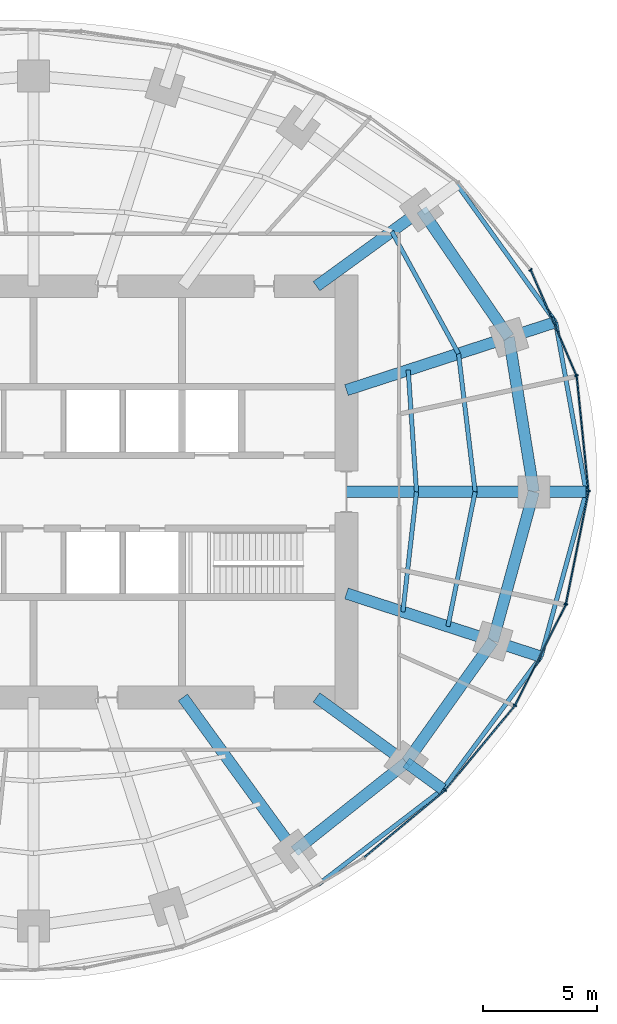
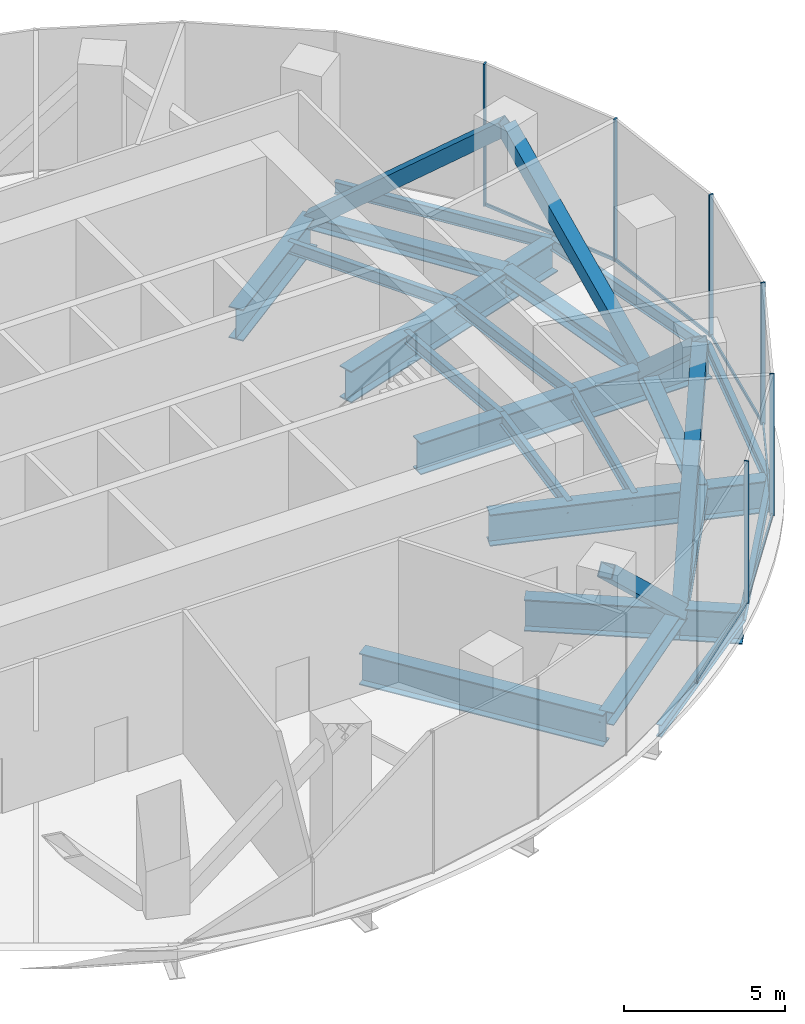
# One storey, part 6 of 13: 22 members, 20 beams, 2 elements without a shape of their own.
"""IFC4 building model written with IfcOpenShell, lengths in metres."""

from ifc_helpers import new_model, si_unit, direction, frame, origin, origin_2d, place, context, subcontext, project, spatial, rectangle, hollow_rectangle, i_section, extrude, material, material_profile, profile_set, type_object, element, aggregate, save


model = new_model("IFC4")

# Units and contexts
model_context = context("Model", 3, precision=1e-05, world=origin(), true_north=direction((0.0, 1.0)))
body_context = subcontext(model_context, "Body", "Model", "MODEL_VIEW")
ifc_project = project(units=[si_unit("LENGTHUNIT", "METRE"), si_unit("AREAUNIT", "SQUARE_METRE"), si_unit("VOLUMEUNIT", "CUBIC_METRE"), si_unit("PLANEANGLEUNIT", "RADIAN"), si_unit("MASSUNIT", "GRAM", prefix="KILO")], contexts=[model_context])

# Site, building, storey
site_placement = place(None, origin())
site = spatial("IfcSite", under=ifc_project, at=site_placement, CompositionType="ELEMENT")
building_placement = place(site_placement, origin())
building = spatial("IfcBuilding", under=site, at=building_placement, Name="Marramba Exchange Tower", CompositionType="ELEMENT")
storey_placement = place(building_placement, frame((0.0, 0.0, 246.199951171875)))
storey = spatial("IfcBuildingStorey", under=building, at=storey_placement, Name="L60", CompositionType="ELEMENT", Elevation=246.199951171875)

# Members
ifc_material_1 = material(Name="Steel AS/NZS 3679.2 grade 300", Category="steel")
ifc_material_profile_1 = material_profile(ifc_material_1, i_section(OverallWidth=0.5, OverallDepth=0.48388671875, WebThickness=0.02490234375, FlangeThickness=0.031982421875, at=origin_2d()), Name="500WC340")
ifc_profile_set_1 = profile_set([ifc_material_profile_1], Name="Steel AS/NZS 3679.2 grade 300")
member_type_1 = type_object("IfcMemberType", Name="Belt truss chord 500WC340", PredefinedType="CHORD", material=ifc_profile_set_1)
member_1_placement = place(storey_placement, frame((21.89990234375, 0.0, -0.44189453125), z_axis=(-0.159384865399, 0.987216523708, 0.0), x_axis=(-0.987216523708, -0.159384865399, 0.0)))
element("IfcMember", 1, at=member_1_placement, inside=storey, type_object=member_type_1, Name="Belt chord L60 TC01-TC02", PredefinedType="CHORD", context=body_context, shape_type="SweptSolid", body=[
    extrude(i_section(OverallWidth=0.5, OverallDepth=0.48388671875, WebThickness=0.02490234375, FlangeThickness=0.031982421875, at=origin_2d()), origin(), (0.0, 0.0, 1.0), 6.8486328125),
])
member_2_placement = place(storey_placement, frame((20.808349609375, 6.760986328125, -0.44189453125), z_axis=(-0.56516002054, 0.824981303535, 0.0), x_axis=(-0.824981303535, -0.56516002054, 0.0)))
element("IfcMember", 2, at=member_2_placement, inside=storey, type_object=member_type_1, Name="Belt chord L60 TC02-TC03", PredefinedType="CHORD", context=body_context, shape_type="SweptSolid", body=[
    extrude(i_section(OverallWidth=0.5, OverallDepth=0.48388671875, WebThickness=0.02490234375, FlangeThickness=0.031982421875, at=origin_2d()), origin(), (0.0, 0.0, 1.0), 6.763671875),
])
member_3_placement = place(storey_placement, frame((11.430419921875, -15.732666015625, -0.44189453125), z_axis=(0.783139438128, 0.621846138887, 0.0), x_axis=(-0.621846138887, 0.783139438128, 0.0)))
element("IfcMember", 3, at=member_3_placement, inside=storey, type_object=member_type_1, Name="Belt chord L60 TC18-TC19", PredefinedType="CHORD", context=body_context, shape_type="SweptSolid", body=[
    extrude(i_section(OverallWidth=0.5, OverallDepth=0.48388671875, WebThickness=0.02490234375, FlangeThickness=0.031982421875, at=origin_2d()), origin(), (0.0, 0.0, 1.0), 6.23779296875),
])
member_4_placement = place(storey_placement, frame((16.3154296875, -11.853759765625, -0.44189453125), z_axis=(0.580637181111, 0.814162430914, 0.0), x_axis=(-0.814162430914, 0.580637181111, 0.0)))
element("IfcMember", 4, at=member_4_placement, inside=storey, type_object=member_type_1, Name="Belt chord L60 TC19-TC20", PredefinedType="CHORD", context=body_context, shape_type="SweptSolid", body=[
    extrude(i_section(OverallWidth=0.5, OverallDepth=0.48388671875, WebThickness=0.02490234375, FlangeThickness=0.031982421875, at=origin_2d()), origin(), (0.0, 0.0, 1.0), 6.5341796875),
])
member_5_placement = place(storey_placement, frame((20.109375, -6.533935546875, -0.44189453125), z_axis=(0.264291166956, 0.964442937176, 0.0), x_axis=(-0.964442937176, 0.264291166956, 0.0)))
element("IfcMember", 5, at=member_5_placement, inside=storey, type_object=member_type_1, Name="Belt chord L60 TC20-TC01", PredefinedType="CHORD", context=body_context, shape_type="SweptSolid", body=[
    extrude(i_section(OverallWidth=0.5, OverallDepth=0.48388671875, WebThickness=0.02490234375, FlangeThickness=0.031982421875, at=origin_2d()), origin(), (0.0, 0.0, 1.0), 6.77490234375),
])
ifc_material_2 = material(Name="Steel AS/NZS 3678 grade 350", Category="steel")
ifc_material_profile_2 = material_profile(ifc_material_2, hollow_rectangle(XDim=0.5, YDim=0.5, WallThickness=0.031982421875, at=origin_2d()), Name="500x500x32BOX")
ifc_profile_set_2 = profile_set([ifc_material_profile_2], Name="Steel AS/NZS 3678 grade 350")
member_type_2 = type_object("IfcMemberType", Name="Belt truss diagonal 500x500x32BOX", PredefinedType="BRACE", material=ifc_profile_set_2)
member_6_placement = place(storey_placement, frame((21.89990234375, 0.0, -0.44189453125), z_axis=(-0.12338791563, 0.764254427988, 0.633001257168), x_axis=(-0.987216523708, -0.159384865399, 0.0)))
element("IfcMember", 6, at=member_6_placement, inside=storey, type_object=member_type_2, Name="Belt truss BT60 diagonal 01", PredefinedType="BRACE", context=body_context, shape_type="SweptSolid", body=[
    extrude(hollow_rectangle(XDim=0.5, YDim=0.5, WallThickness=0.031982421875, at=origin_2d()), origin(), (0.0, 0.0, 1.0), 8.846435546875),
])
member_7_placement = place(storey_placement, frame((20.808349609375, 6.760986328125, 5.157958984375), z_axis=(-0.435320155783, 0.635450096469, -0.63772998743), x_axis=(-0.824981303535, -0.56516002054, 0.0)))
element("IfcMember", 7, at=member_7_placement, inside=storey, type_object=member_type_2, Name="Belt truss BT60 diagonal 02", PredefinedType="BRACE", context=body_context, shape_type="SweptSolid", body=[
    extrude(hollow_rectangle(XDim=0.5, YDim=0.5, WallThickness=0.031982421875, at=origin_2d()), origin(), (0.0, 0.0, 1.0), 8.781005859375),
])
member_8_placement = place(storey_placement, frame((11.430419921875, -15.732666015625, 5.157958984375), z_axis=(0.582757533009, 0.462734353763, -0.668034861043), x_axis=(-0.621846138887, 0.783139438128, 0.0)))
element("IfcMember", 8, at=member_8_placement, inside=storey, type_object=member_type_2, Name="Belt truss BT60 diagonal 18", PredefinedType="BRACE", context=body_context, shape_type="SweptSolid", body=[
    extrude(hollow_rectangle(XDim=0.5, YDim=0.5, WallThickness=0.031982421875, at=origin_2d()), origin(), (0.0, 0.0, 1.0), 8.382568359375),
])
member_9_placement = place(storey_placement, frame((16.3154296875, -11.853759765625, -0.44189453125), z_axis=(0.440879597365, 0.618196037746, 0.650737150885), x_axis=(-0.814162430914, 0.580637181111, 0.0)))
element("IfcMember", 9, at=member_9_placement, inside=storey, type_object=member_type_2, Name="Belt truss BT60 diagonal 19", PredefinedType="BRACE", context=body_context, shape_type="SweptSolid", body=[
    extrude(hollow_rectangle(XDim=0.5, YDim=0.5, WallThickness=0.031982421875, at=origin_2d()), origin(), (0.0, 0.0, 1.0), 8.60546875),
])
member_10_placement = place(storey_placement, frame((20.109375, -6.533935546875, 5.157958984375), z_axis=(0.203710300646, 0.743373162828, -0.637101604297), x_axis=(-0.964442937176, 0.264291166956, 0.0)))
element("IfcMember", 10, at=member_10_placement, inside=storey, type_object=member_type_2, Name="Belt truss BT60 diagonal 20", PredefinedType="BRACE", context=body_context, shape_type="SweptSolid", body=[
    extrude(hollow_rectangle(XDim=0.5, YDim=0.5, WallThickness=0.031982421875, at=origin_2d()), origin(), (0.0, 0.0, 1.0), 8.78955078125),
])

# Beams
ifc_material_profile_3 = material_profile(ifc_material_1, i_section(OverallWidth=0.5, OverallDepth=1.199951171875, WebThickness=0.01611328125, FlangeThickness=0.0400390625, at=origin_2d()), Name="1200WB455")
ifc_profile_set_3 = profile_set([ifc_material_profile_3], Name="Steel AS/NZS 3679.2 grade 300")
beam_type_1 = type_object("IfcBeamType", Name="Cantilever girder 1200WB455", PredefinedType="BEAM", material=ifc_profile_set_3)
beam_1_placement = place(storey_placement, frame((21.89990234375, 0.0, -0.800048828125), z_axis=(1.0, 0.0, 0.0), x_axis=(0.0, 1.0, 0.0)))
element("IfcBeam", 11, at=beam_1_placement, inside=storey, type_object=beam_type_1, Name="Cantilever girder L60 TC01", PredefinedType="BEAM", context=body_context, shape_type="SweptSolid", body=[
    extrude(i_section(OverallWidth=0.5, OverallDepth=1.199951171875, WebThickness=0.01611328125, FlangeThickness=0.0400390625, at=origin_2d()), origin(), (0.0, 0.0, 1.0), 2.294189453125),
])
beam_2_placement = place(storey_placement, frame((20.808349609375, 6.760986328125, -0.800048828125), z_axis=(0.951051587859, 0.309032162129, 0.0), x_axis=(-0.309032162129, 0.951051587859, 0.0)))
element("IfcBeam", 12, at=beam_2_placement, inside=storey, type_object=beam_type_1, Name="Cantilever girder L60 TC02", PredefinedType="BEAM", context=body_context, shape_type="SweptSolid", body=[
    extrude(i_section(OverallWidth=0.5, OverallDepth=1.199951171875, WebThickness=0.01611328125, FlangeThickness=0.0400390625, at=origin_2d()), origin(), (0.0, 0.0, 1.0), 2.150390625),
])
beam_3_placement = place(storey_placement, frame((16.3154296875, -11.853759765625, -0.800048828125), z_axis=(0.808970801893, -0.587848825537, 0.0), x_axis=(0.587848825537, 0.808970801893, 0.0)))
element("IfcBeam", 13, at=beam_3_placement, inside=storey, type_object=beam_type_1, Name="Cantilever girder L60 TC19", PredefinedType="BEAM", context=body_context, shape_type="SweptSolid", body=[
    extrude(i_section(OverallWidth=0.5, OverallDepth=1.199951171875, WebThickness=0.01611328125, FlangeThickness=0.0400390625, at=origin_2d()), origin(), (0.0, 0.0, 1.0), 1.978515625),
])
beam_4_placement = place(storey_placement, frame((20.109375, -6.533935546875, -0.800048828125), z_axis=(0.951050283347, -0.309036176758, 0.0), x_axis=(0.309036176758, 0.951050283347, 0.0)))
element("IfcBeam", 14, at=beam_4_placement, inside=storey, type_object=beam_type_1, Name="Cantilever girder L60 TC20", PredefinedType="BEAM", context=body_context, shape_type="SweptSolid", body=[
    extrude(i_section(OverallWidth=0.5, OverallDepth=1.199951171875, WebThickness=0.01611328125, FlangeThickness=0.0400390625, at=origin_2d()), origin(), (0.0, 0.0, 1.0), 2.212890625),
])
ifc_material_3 = material(Name="Steel AS/NZS 3679.1 grade 300", Category="steel")
ifc_material_profile_4 = material_profile(ifc_material_3, i_section(OverallWidth=0.19091796875, OverallDepth=0.4599609375, WebThickness=0.010009765625, FlangeThickness=0.01611328125, FilletRadius=0.011474609375, at=origin_2d()), Name="460UB82.1")
ifc_profile_set_4 = profile_set([ifc_material_profile_4], Name="Steel AS/NZS 3679.1 grade 300")
beam_type_2 = type_object("IfcBeamType", Name="Floor joist 460UB82.1", PredefinedType="JOIST", material=ifc_profile_set_4)
beam_5_placement = place(storey_placement, frame((16.7666015625, 0.0, -0.429931640625), z_axis=(-0.068096259546, 0.99767875563, 0.0), x_axis=(-0.99767875563, -0.068096259546, 0.0)))
element("IfcBeam", 15, at=beam_5_placement, inside=storey, type_object=beam_type_2, Name="Joist L60 bay 01 row 1", PredefinedType="JOIST", context=body_context, shape_type="SweptSolid", body=[
    extrude(i_section(OverallWidth=0.19091796875, OverallDepth=0.4599609375, WebThickness=0.010009765625, FlangeThickness=0.01611328125, FilletRadius=0.011474609375, at=origin_2d()), origin(), (0.0, 0.0, 1.0), 5.342041015625),
])
beam_6_placement = place(storey_placement, frame((19.333251953125, 0.0, -0.429931640625), z_axis=(-0.119523078538, 0.992831422597, 0.0), x_axis=(-0.992831422597, -0.119523078538, 0.0)))
element("IfcBeam", 16, at=beam_6_placement, inside=storey, type_object=beam_type_2, Name="Joist L60 bay 01 row 2", PredefinedType="JOIST", context=body_context, shape_type="SweptSolid", body=[
    extrude(i_section(OverallWidth=0.19091796875, OverallDepth=0.4599609375, WebThickness=0.010009765625, FlangeThickness=0.01611328125, FilletRadius=0.011474609375, at=origin_2d()), origin(), (0.0, 0.0, 1.0), 6.089111328125),
])
beam_7_placement = place(storey_placement, frame((18.60546875, 6.04541015625, -0.429931640625), z_axis=(-0.479584443791, 0.877495732909, 0.0), x_axis=(-0.877495732909, -0.479584443791, 0.0)))
element("IfcBeam", 17, at=beam_7_placement, inside=storey, type_object=beam_type_2, Name="Joist L60 bay 02 row 2", PredefinedType="JOIST", context=body_context, shape_type="SweptSolid", body=[
    extrude(i_section(OverallWidth=0.19091796875, OverallDepth=0.4599609375, WebThickness=0.010009765625, FlangeThickness=0.01611328125, FilletRadius=0.011474609375, at=origin_2d()), origin(), (0.0, 0.0, 1.0), 6.094970703125),
])
beam_8_placement = place(storey_placement, frame((16.169677734375, -5.25390625, -0.429931640625), z_axis=(0.112888968594, 0.993607609054, 0.0), x_axis=(-0.993607609054, 0.112888968594, 0.0)))
element("IfcBeam", 18, at=beam_8_placement, inside=storey, type_object=beam_type_2, Name="Joist L60 bay 20 row 1", PredefinedType="JOIST", context=body_context, shape_type="SweptSolid", body=[
    extrude(i_section(OverallWidth=0.19091796875, OverallDepth=0.4599609375, WebThickness=0.010009765625, FlangeThickness=0.01611328125, FilletRadius=0.011474609375, at=origin_2d()), origin(), (0.0, 0.0, 1.0), 5.28759765625),
])
beam_9_placement = place(storey_placement, frame((18.1396484375, -5.893798828125, -0.429931640625), z_axis=(0.198489047047, 0.980103105904, 0.0), x_axis=(-0.980103105904, 0.198489047047, 0.0)))
element("IfcBeam", 19, at=beam_9_placement, inside=storey, type_object=beam_type_2, Name="Joist L60 bay 20 row 2", PredefinedType="JOIST", context=body_context, shape_type="SweptSolid", body=[
    extrude(i_section(OverallWidth=0.19091796875, OverallDepth=0.4599609375, WebThickness=0.010009765625, FlangeThickness=0.01611328125, FilletRadius=0.011474609375, at=origin_2d()), origin(), (0.0, 0.0, 1.0), 6.013427734375),
])

# Curtain wall, members
ifc_material_4 = material(Name="Aluminium framing, bronze anodised", Category="aluminium")
curtain_wall_type = type_object("IfcCurtainWallType", Name="Plant floor louvred curtain wall", PredefinedType="USERDEFINED", material=ifc_material_4)
curtain_wall_1_placement = place(storey_placement, origin())
curtain_wall_1 = element("IfcCurtainWall", 20, at=curtain_wall_1_placement, inside=storey, type_object=curtain_wall_type, Name="Curtain wall CW6 L60 F01-F05", ObjectType="RIBBON CURTAIN WALL", PredefinedType="USERDEFINED")
ifc_material_5 = material(Name="Aluminium mullion, bronze anodised", Category="aluminium")
ifc_material_profile_5 = material_profile(ifc_material_5, rectangle(XDim=0.159912109375, YDim=0.06005859375, at=origin_2d()), Name="CW6 mullion 60x160")
ifc_profile_set_5 = profile_set([ifc_material_profile_5], Name="Aluminium mullion, bronze anodised")
member_type_3 = type_object("IfcMemberType", Name="Plant floor louvred curtain wall mullion", PredefinedType="MULLION", material=ifc_profile_set_5)
member_11_placement = place(storey_placement, frame((24.291015625, 0.02978515625, 0.0), z_axis=(0.0, 0.0, 1.0), x_axis=(-0.994843446001, -0.101422472607, 0.0)))
member_11 = element("IfcMember", 21, at=member_11_placement, type_object=member_type_3, Name="CW6 mullion 1", PredefinedType="MULLION", context=body_context, shape_type="SweptSolid", body=[
    extrude(rectangle(XDim=0.159912109375, YDim=0.06005859375, at=origin_2d()), origin(), (0.0, 0.0, 1.0), 5.400146484375),
])
member_12_placement = place(storey_placement, frame((23.766845703125, 5.081787109375, 0.0), z_axis=(0.0, 0.0, 1.0), x_axis=(-0.918167104527, -0.396193346946, 0.0)))
member_12 = element("IfcMember", 22, at=member_12_placement, type_object=member_type_3, Name="CW6 mullion 1", PredefinedType="MULLION", context=body_context, shape_type="SweptSolid", body=[
    extrude(rectangle(XDim=0.159912109375, YDim=0.06005859375, at=origin_2d()), origin(), (0.0, 0.0, 1.0), 5.400146484375),
])
member_13_placement = place(storey_placement, frame((21.757080078125, 9.718505859375, 0.0), z_axis=(0.0, 0.0, 1.0), x_axis=(-0.770574258342, -0.637350227411, 0.0)))
member_13 = element("IfcMember", 23, at=member_13_placement, type_object=member_type_3, Name="CW6 mullion 1", PredefinedType="MULLION", context=body_context, shape_type="SweptSolid", body=[
    extrude(rectangle(XDim=0.159912109375, YDim=0.06005859375, at=origin_2d()), origin(), (0.0, 0.0, 1.0), 5.400146484375),
])

curtain_wall_2_placement = place(storey_placement, origin())
curtain_wall_2 = element("IfcCurtainWall", 24, at=curtain_wall_2_placement, inside=storey, type_object=curtain_wall_type, Name="Curtain wall CW6 L60 F26-F30", ObjectType="RIBBON CURTAIN WALL", PredefinedType="USERDEFINED")
member_14_placement = place(storey_placement, frame((18.01611328125, -13.052490234375, 0.0), z_axis=(0.0, 0.0, 1.0), x_axis=(-0.769912069289, 0.63814998673, 0.0)))
member_14 = element("IfcMember", 25, at=member_14_placement, type_object=member_type_3, Name="CW6 mullion 1", PredefinedType="MULLION", context=body_context, shape_type="SweptSolid", body=[
    extrude(rectangle(XDim=0.159912109375, YDim=0.06005859375, at=origin_2d()), origin(), (0.0, 0.0, 1.0), 5.400146484375),
])
member_15_placement = place(storey_placement, frame((21.07568359375, -9.3505859375, 0.0), z_axis=(0.0, 0.0, 1.0), x_axis=(-0.892689067591, 0.450673083956, 0.0)))
member_15 = element("IfcMember", 26, at=member_15_placement, type_object=member_type_3, Name="CW6 mullion 1", PredefinedType="MULLION", context=body_context, shape_type="SweptSolid", body=[
    extrude(rectangle(XDim=0.159912109375, YDim=0.06005859375, at=origin_2d()), origin(), (0.0, 0.0, 1.0), 5.400146484375),
])
member_16_placement = place(storey_placement, frame((23.30224609375, -4.92236328125, 0.0), z_axis=(0.0, 0.0, 1.0), x_axis=(-0.980303812539, 0.197495405316, 0.0)))
member_16 = element("IfcMember", 27, at=member_16_placement, type_object=member_type_3, Name="CW6 mullion 1", PredefinedType="MULLION", context=body_context, shape_type="SweptSolid", body=[
    extrude(rectangle(XDim=0.159912109375, YDim=0.06005859375, at=origin_2d()), origin(), (0.0, 0.0, 1.0), 5.400146484375),
])

# Member
ifc_material_6 = material(Name="Aluminium transom, bronze anodised", Category="aluminium")
ifc_material_profile_6 = material_profile(ifc_material_6, rectangle(XDim=0.06005859375, YDim=0.1201171875, at=origin_2d()), Name="CW6 transom 60x120")
ifc_profile_set_6 = profile_set([ifc_material_profile_6], Name="Aluminium transom, bronze anodised")
member_type_4 = type_object("IfcMemberType", Name="Plant floor louvred curtain wall transom", PredefinedType="USERDEFINED", material=ifc_profile_set_6)
member_17_placement = place(storey_placement, frame((24.287841796875, 0.0595703125, 0.030029296875), z_axis=(-0.101386007846, 0.994847162841, 0.0), x_axis=(-0.994847162841, -0.101386007846, 0.0)))
member_17 = element("IfcMember", 28, at=member_17_placement, type_object=member_type_4, Name="CW6 sill transom", ObjectType="TRANSOM", PredefinedType="USERDEFINED", context=body_context, shape_type="SweptSolid", body=[
    extrude(rectangle(XDim=0.06005859375, YDim=0.1201171875, at=origin_2d()), origin(), (0.0, 0.0, 1.0), 5.020751953125),
])

member_18_placement = place(storey_placement, frame((23.7548828125, 5.109375, 0.030029296875), z_axis=(-0.396177573744, 0.918173910576, 0.0), x_axis=(-0.918173910576, -0.396177573744, 0.0)))
member_18 = element("IfcMember", 29, at=member_18_placement, type_object=member_type_4, Name="CW6 sill transom", ObjectType="TRANSOM", PredefinedType="USERDEFINED", context=body_context, shape_type="SweptSolid", body=[
    extrude(rectangle(XDim=0.06005859375, YDim=0.1201171875, at=origin_2d()), origin(), (0.0, 0.0, 1.0), 4.99462890625),
])

aggregate(curtain_wall_1, [member_11, member_17, member_12, member_18, member_13])

member_19_placement = place(storey_placement, frame((14.48486328125, -15.99755859375, 0.030029296875), z_axis=(0.768707257272, 0.639600775967, 0.0), x_axis=(-0.639600775967, 0.768707257272, 0.0)))
member_19 = element("IfcMember", 30, at=member_19_placement, type_object=member_type_4, Name="CW6 sill transom", ObjectType="TRANSOM", PredefinedType="USERDEFINED", context=body_context, shape_type="SweptSolid", body=[
    extrude(rectangle(XDim=0.06005859375, YDim=0.1201171875, at=origin_2d()), origin(), (0.0, 0.0, 1.0), 4.568603515625),
])

member_20_placement = place(storey_placement, frame((18.03515625, -13.029296875, 0.030029296875), z_axis=(0.638146908901, 0.76991462037, 0.0), x_axis=(-0.76991462037, 0.638146908901, 0.0)))
member_20 = element("IfcMember", 31, at=member_20_placement, type_object=member_type_4, Name="CW6 sill transom", ObjectType="TRANSOM", PredefinedType="USERDEFINED", context=body_context, shape_type="SweptSolid", body=[
    extrude(rectangle(XDim=0.06005859375, YDim=0.1201171875, at=origin_2d()), origin(), (0.0, 0.0, 1.0), 4.7431640625),
])

member_21_placement = place(storey_placement, frame((21.089111328125, -9.323974609375, 0.030029296875), z_axis=(0.450679681949, 0.892685736572, 0.0), x_axis=(-0.892685736572, 0.450679681949, 0.0)))
member_21 = element("IfcMember", 32, at=member_21_placement, type_object=member_type_4, Name="CW6 sill transom", ObjectType="TRANSOM", PredefinedType="USERDEFINED", context=body_context, shape_type="SweptSolid", body=[
    extrude(rectangle(XDim=0.06005859375, YDim=0.1201171875, at=origin_2d()), origin(), (0.0, 0.0, 1.0), 4.897705078125),
])

member_22_placement = place(storey_placement, frame((23.308349609375, -4.89306640625, 0.030029296875), z_axis=(0.197461053167, 0.980310732616, 0.0), x_axis=(-0.980310732616, 0.197461053167, 0.0)))
member_22 = element("IfcMember", 33, at=member_22_placement, type_object=member_type_4, Name="CW6 sill transom", ObjectType="TRANSOM", PredefinedType="USERDEFINED", context=body_context, shape_type="SweptSolid", body=[
    extrude(rectangle(XDim=0.06005859375, YDim=0.1201171875, at=origin_2d()), origin(), (0.0, 0.0, 1.0), 4.991455078125),
])

aggregate(curtain_wall_2, [member_19, member_14, member_20, member_15, member_21, member_16, member_22])

# Beams
ifc_material_profile_7 = material_profile(ifc_material_1, i_section(OverallWidth=0.5, OverallDepth=1.199951171875, WebThickness=0.01611328125, FlangeThickness=0.0400390625, at=origin_2d()), Name="1200WB455")
ifc_profile_set_7 = profile_set([ifc_material_profile_7], Name="Steel AS/NZS 3679.2 grade 300")
beam_type_3 = type_object("IfcBeamType", Name="Radial girder 1200WB455", PredefinedType="BEAM", material=ifc_profile_set_7)
beam_10_placement = place(storey_placement, frame((13.699951171875, 0.0, -0.800048828125), z_axis=(1.0, 0.0, 0.0), x_axis=(0.0, 1.0, 0.0)))
element("IfcBeam", 34, at=beam_10_placement, inside=storey, type_object=beam_type_3, Name="Radial girder L60 TC01", PredefinedType="BEAM", context=body_context, shape_type="SweptSolid", body=[
    extrude(i_section(OverallWidth=0.5, OverallDepth=1.199951171875, WebThickness=0.01611328125, FlangeThickness=0.0400390625, at=origin_2d()), origin(), (0.0, 0.0, 1.0), 8.199951171875),
])
beam_11_placement = place(storey_placement, frame((13.699951171875, 4.451416015625, -0.800048828125), z_axis=(0.951059990189, 0.309006302624, 0.0), x_axis=(-0.309006302624, 0.951059990189, 0.0)))
element("IfcBeam", 35, at=beam_11_placement, inside=storey, type_object=beam_type_3, Name="Radial girder L60 TC02", PredefinedType="BEAM", context=body_context, shape_type="SweptSolid", body=[
    extrude(i_section(OverallWidth=0.5, OverallDepth=1.199951171875, WebThickness=0.01611328125, FlangeThickness=0.0400390625, at=origin_2d()), origin(), (0.0, 0.0, 1.0), 7.47412109375),
])
beam_12_placement = place(storey_placement, frame((12.387451171875, 9.0, -0.800048828125), z_axis=(0.809025746925, 0.587773205252, 0.0), x_axis=(-0.587773205252, 0.809025746925, 0.0)))
element("IfcBeam", 36, at=beam_12_placement, inside=storey, type_object=beam_type_3, Name="Radial girder L60 TC03", PredefinedType="BEAM", context=body_context, shape_type="SweptSolid", body=[
    extrude(i_section(OverallWidth=0.5, OverallDepth=1.199951171875, WebThickness=0.01611328125, FlangeThickness=0.0400390625, at=origin_2d()), origin(), (0.0, 0.0, 1.0), 5.683837890625),
])
beam_13_placement = place(storey_placement, frame((6.538818359375, -9.0, -0.800048828125), z_axis=(0.587787877172, -0.809015087282, 0.0), x_axis=(0.809015087282, 0.587787877172, 0.0)))
element("IfcBeam", 37, at=beam_13_placement, inside=storey, type_object=beam_type_3, Name="Radial girder L60 TC18", PredefinedType="BEAM", context=body_context, shape_type="SweptSolid", body=[
    extrude(i_section(OverallWidth=0.5, OverallDepth=1.199951171875, WebThickness=0.01611328125, FlangeThickness=0.0400390625, at=origin_2d()), origin(), (0.0, 0.0, 1.0), 8.322021484375),
])
beam_14_placement = place(storey_placement, frame((12.387451171875, -9.0, -0.800048828125), z_axis=(0.809025189606, -0.58777397236, 0.0), x_axis=(0.58777397236, 0.809025189606, 0.0)))
element("IfcBeam", 38, at=beam_14_placement, inside=storey, type_object=beam_type_3, Name="Radial girder L60 TC19", PredefinedType="BEAM", context=body_context, shape_type="SweptSolid", body=[
    extrude(i_section(OverallWidth=0.5, OverallDepth=1.199951171875, WebThickness=0.01611328125, FlangeThickness=0.0400390625, at=origin_2d()), origin(), (0.0, 0.0, 1.0), 4.855224609375),
])
beam_15_placement = place(storey_placement, frame((13.699951171875, -4.451416015625, -0.800048828125), z_axis=(0.951057759669, -0.309013167637, 0.0), x_axis=(0.309013167637, 0.951057759669, 0.0)))
element("IfcBeam", 39, at=beam_15_placement, inside=storey, type_object=beam_type_3, Name="Radial girder L60 TC20", PredefinedType="BEAM", context=body_context, shape_type="SweptSolid", body=[
    extrude(i_section(OverallWidth=0.5, OverallDepth=1.199951171875, WebThickness=0.01611328125, FlangeThickness=0.0400390625, at=origin_2d()), origin(), (0.0, 0.0, 1.0), 6.7392578125),
])
ifc_material_profile_8 = material_profile(ifc_material_3, i_section(OverallWidth=0.19091796875, OverallDepth=0.4599609375, WebThickness=0.010009765625, FlangeThickness=0.01611328125, FilletRadius=0.011474609375, at=origin_2d()), Name="460UB82.1")
ifc_profile_set_8 = profile_set([ifc_material_profile_8], Name="Steel AS/NZS 3679.1 grade 300")
beam_type_4 = type_object("IfcBeamType", Name="Slab edge beam 460UB82.1", PredefinedType="SPANDREL", material=ifc_profile_set_8)
beam_16_placement = place(storey_placement, frame((24.194091796875, 0.0, -0.429931640625), z_axis=(-0.177663817107, 0.984091239719, 0.0), x_axis=(-0.984091239719, -0.177663817107, 0.0)))
element("IfcBeam", 40, at=beam_16_placement, inside=storey, type_object=beam_type_4, Name="Slab edge beam L60 TC01-TC02", PredefinedType="SPANDREL", context=body_context, shape_type="SweptSolid", body=[
    extrude(i_section(OverallWidth=0.19091796875, OverallDepth=0.4599609375, WebThickness=0.010009765625, FlangeThickness=0.01611328125, FilletRadius=0.011474609375, at=origin_2d()), origin(), (0.0, 0.0, 1.0), 7.545654296875),
])
beam_17_placement = place(storey_placement, frame((22.853515625, 7.425537109375, -0.429931640625), z_axis=(-0.582189457885, 0.813053156398, 0.0), x_axis=(-0.813053156398, -0.582189457885, 0.0)))
element("IfcBeam", 41, at=beam_17_placement, inside=storey, type_object=beam_type_4, Name="Slab edge beam L60 TC02-TC03", PredefinedType="SPANDREL", context=body_context, shape_type="SweptSolid", body=[
    extrude(i_section(OverallWidth=0.19091796875, OverallDepth=0.4599609375, WebThickness=0.010009765625, FlangeThickness=0.01611328125, FilletRadius=0.011474609375, at=origin_2d()), origin(), (0.0, 0.0, 1.0), 7.42578125),
])
beam_18_placement = place(storey_placement, frame((12.479736328125, -17.1767578125, -0.429931640625), z_axis=(0.794163423189, 0.607704251481, 0.0), x_axis=(-0.607704251481, 0.794163423189, 0.0)))
element("IfcBeam", 42, at=beam_18_placement, inside=storey, type_object=beam_type_4, Name="Slab edge beam L60 TC18-TC19", PredefinedType="SPANDREL", context=body_context, shape_type="SweptSolid", body=[
    extrude(i_section(OverallWidth=0.19091796875, OverallDepth=0.4599609375, WebThickness=0.010009765625, FlangeThickness=0.01611328125, FilletRadius=0.011474609375, at=origin_2d()), origin(), (0.0, 0.0, 1.0), 6.84521484375),
])
beam_19_placement = place(storey_placement, frame((17.916015625, -13.016845703125, -0.429931640625), z_axis=(0.595428136035, 0.803408572781, 0.0), x_axis=(-0.803408572781, 0.595428136035, 0.0)))
element("IfcBeam", 43, at=beam_19_placement, inside=storey, type_object=beam_type_4, Name="Slab edge beam L60 TC19-TC20", PredefinedType="SPANDREL", context=body_context, shape_type="SweptSolid", body=[
    extrude(i_section(OverallWidth=0.19091796875, OverallDepth=0.4599609375, WebThickness=0.010009765625, FlangeThickness=0.01611328125, FilletRadius=0.011474609375, at=origin_2d()), origin(), (0.0, 0.0, 1.0), 7.218017578125),
])
beam_20_placement = place(storey_placement, frame((22.2138671875, -7.2177734375, -0.429931640625), z_axis=(0.264577205901, 0.964364506874, 0.0), x_axis=(-0.964364506874, 0.264577205901, 0.0)))
element("IfcBeam", 44, at=beam_20_placement, inside=storey, type_object=beam_type_4, Name="Slab edge beam L60 TC20-TC01", PredefinedType="SPANDREL", context=body_context, shape_type="SweptSolid", body=[
    extrude(i_section(OverallWidth=0.19091796875, OverallDepth=0.4599609375, WebThickness=0.010009765625, FlangeThickness=0.01611328125, FilletRadius=0.011474609375, at=origin_2d()), origin(), (0.0, 0.0, 1.0), 7.484375),
])

save(model, "model.ifc")
